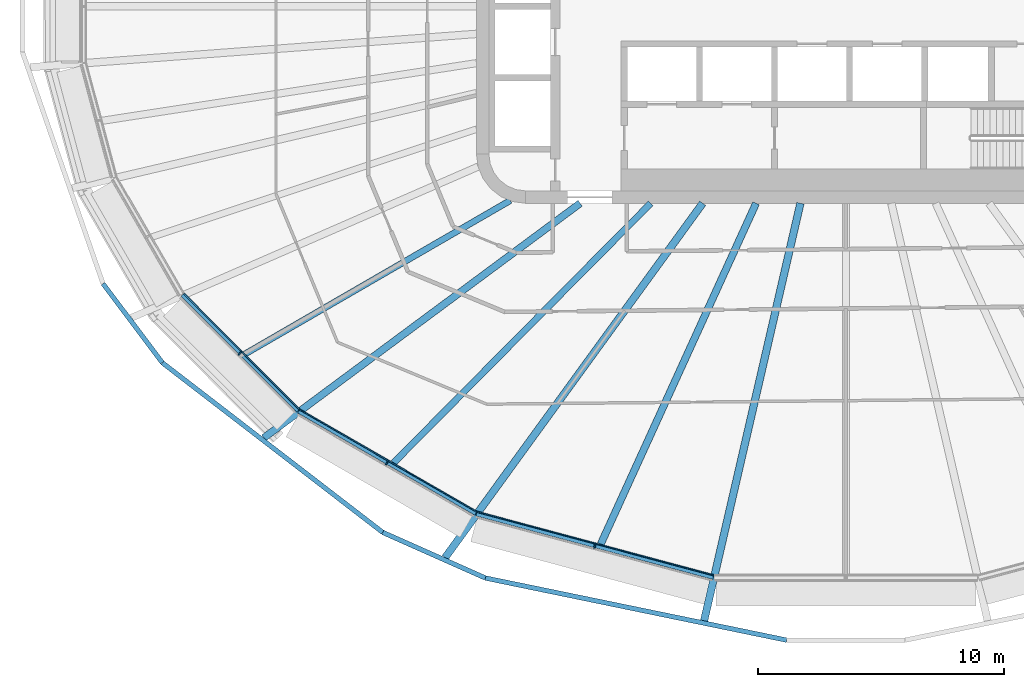
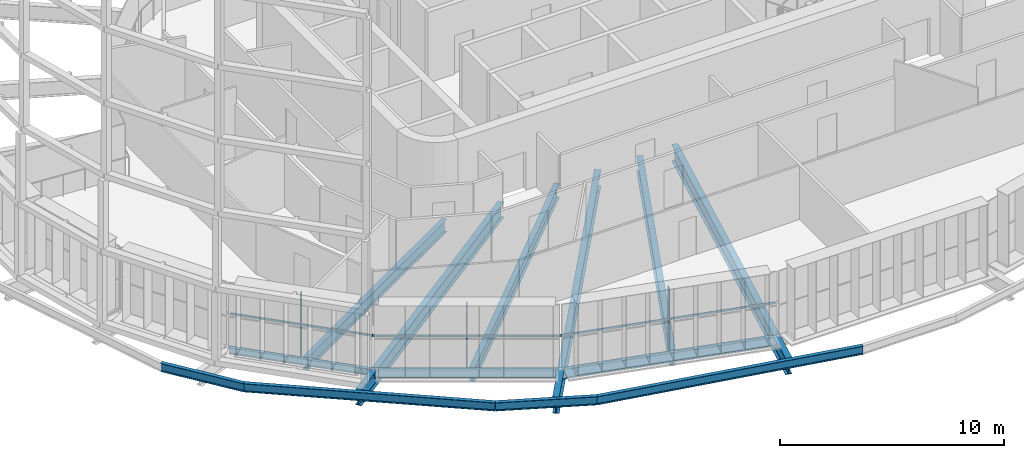
# One storey, part 1 of 22: 13 beams, 6 members, 3 elements without a shape of their own.
"""IFC4 building model written with IfcOpenShell, lengths in metres."""

from ifc_helpers import new_model, si_unit, direction, frame, origin, origin_2d, place, context, subcontext, project, spatial, rectangle, i_section, extrude, material, layer, layer_set, material_profile, profile_set, type_object, element, aggregate, save


model = new_model("IFC4")

# Units and contexts
model_context = context("Model", 3, precision=1e-05, world=origin(), true_north=direction((0.0, 1.0)))
body_context = subcontext(model_context, "Body", "Model", "MODEL_VIEW")
ifc_project = project(units=[si_unit("LENGTHUNIT", "METRE"), si_unit("AREAUNIT", "SQUARE_METRE"), si_unit("VOLUMEUNIT", "CUBIC_METRE"), si_unit("PLANEANGLEUNIT", "RADIAN"), si_unit("MASSUNIT", "GRAM", prefix="KILO")], contexts=[model_context])

# Site, building, storey
site_placement = place(None, origin())
site = spatial("IfcSite", under=ifc_project, at=site_placement, CompositionType="ELEMENT")
building_placement = place(site_placement, origin())
building = spatial("IfcBuilding", under=site, at=building_placement, Name="Sahrelin Media Tower", CompositionType="ELEMENT")
storey_placement = place(building_placement, frame((0.0, 0.0, 177.60009765625)))
storey = spatial("IfcBuildingStorey", under=building, at=storey_placement, Name="L37", CompositionType="ELEMENT", Elevation=177.60009765625)

# Beams
ifc_material_1 = material(Name="Steel S355", Category="steel")
ifc_material_profile_1 = material_profile(ifc_material_1, i_section(OverallWidth=0.17138671875, OverallDepth=0.35498046875, WebThickness=0.00732421875, FlangeThickness=0.011474609375, FilletRadius=0.01025390625, at=origin_2d()), Name="UB 356x171x51")
ifc_profile_set_1 = profile_set([ifc_material_profile_1], Name="Steel S355")
beam_type_1 = type_object("IfcBeamType", Name="Edge beam EB3", PredefinedType="BEAM", material=ifc_profile_set_1)
beam_1_placement = place(storey_placement, frame((-22.232666015625, -16.41552734375, -0.32763671875), z_axis=(-0.707088411198, 0.707125150698, 0.0), x_axis=(-0.707125150698, -0.707088411198, 0.0)))
element("IfcBeam", 1, at=beam_1_placement, inside=storey, type_object=beam_type_1, Name="Edge beam L37-10", PredefinedType="BEAM", context=body_context, shape_type="SweptSolid", body=[
    extrude(i_section(OverallWidth=0.17138671875, OverallDepth=0.35498046875, WebThickness=0.00732421875, FlangeThickness=0.011474609375, FilletRadius=0.01025390625, at=origin_2d()), origin(), (0.0, 0.0, 1.0), 6.645263671875),
])
ifc_material_profile_2 = material_profile(ifc_material_1, i_section(OverallWidth=0.1904296875, OverallDepth=0.45703125, WebThickness=0.009033203125, FlangeThickness=0.014404296875, FilletRadius=0.01025390625, at=origin_2d()), Name="UB 457x191x74")
ifc_profile_set_2 = profile_set([ifc_material_profile_2], Name="Steel S355")
beam_type_2 = type_object("IfcBeamType", Name="Edge beam EB5", PredefinedType="BEAM", material=ifc_profile_set_2)
beam_2_placement = place(storey_placement, frame((-15.022705078125, -20.58251953125, -0.378662109375), z_axis=(-0.866025877972, 0.499999178681, 0.0), x_axis=(-0.499999178681, -0.866025877972, 0.0)))
element("IfcBeam", 2, at=beam_2_placement, inside=storey, type_object=beam_type_2, Name="Edge beam L37-09", PredefinedType="BEAM", context=body_context, shape_type="SweptSolid", body=[
    extrude(i_section(OverallWidth=0.1904296875, OverallDepth=0.45703125, WebThickness=0.009033203125, FlangeThickness=0.014404296875, FilletRadius=0.01025390625, at=origin_2d()), origin(), (0.0, 0.0, 1.0), 8.298828125),
])
ifc_material_profile_3 = material_profile(ifc_material_1, i_section(OverallWidth=0.208740234375, OverallDepth=0.5283203125, WebThickness=0.009521484375, FlangeThickness=0.01318359375, FilletRadius=0.0126953125, at=origin_2d()), Name="UB 533x210x82")
ifc_profile_set_3 = profile_set([ifc_material_profile_3], Name="Steel S355")
beam_type_3 = type_object("IfcBeamType", Name="Edge beam EB6", PredefinedType="BEAM", material=ifc_profile_set_3)
beam_3_placement = place(storey_placement, frame((-5.376953125, -23.1708984375, -0.414306640625), z_axis=(-0.96592704093, 0.258814511957, 0.0), x_axis=(-0.258814511957, -0.96592704093, 0.0)))
element("IfcBeam", 3, at=beam_3_placement, inside=storey, type_object=beam_type_3, Name="Edge beam L37-08", PredefinedType="BEAM", context=body_context, shape_type="SweptSolid", body=[
    extrude(i_section(OverallWidth=0.208740234375, OverallDepth=0.5283203125, WebThickness=0.009521484375, FlangeThickness=0.01318359375, FilletRadius=0.0126953125, at=origin_2d()), origin(), (0.0, 0.0, 1.0), 9.95849609375),
])

# Curtain wall, member
ifc_material_2 = material(Name="Champagne anodised aluminium 6063-T6", Category="aluminium")
ifc_layer = layer(ifc_material_2, 0.14990234375)
ifc_layer_set = layer_set([ifc_layer], Name="Tower ribbon curtain wall")
curtain_wall_type = type_object("IfcCurtainWallType", Name="Tower ribbon curtain wall", PredefinedType="NOTDEFINED", material=ifc_layer_set)
curtain_wall_1_placement = place(storey_placement, frame((-24.688232421875, -14.172119140625, 0.0), z_axis=(0.0, 0.0, 1.0), x_axis=(1.0, 0.0, 0.0)))
curtain_wall_1 = element("IfcCurtainWall", 4, at=curtain_wall_1_placement, inside=storey, type_object=curtain_wall_type, Name="L37:CW:L37-15", PredefinedType="NOTDEFINED")
ifc_material_profile_4 = material_profile(ifc_material_2, rectangle(XDim=0.06005859375, YDim=0.175048828125, at=origin_2d()), Name="Mullion 60x175")
ifc_profile_set_4 = profile_set([ifc_material_profile_4], Name="Champagne anodised aluminium 6063-T6")
member_type_1 = type_object("IfcMemberType", Name="Mullion 60x175 CW1B", PredefinedType="MULLION", material=ifc_profile_set_4)
member_1_placement = place(storey_placement, frame((-24.612060546875, -14.09619140625, 0.0), z_axis=(0.0, 0.0, 1.0), x_axis=(0.707099376343, -0.707114185953, 0.0)))
member_1 = element("IfcMember", 5, at=member_1_placement, type_object=member_type_1, Name="L37:CWM:L37-15", PredefinedType="MULLION", context=body_context, shape_type="SweptSolid", body=[
    extrude(rectangle(XDim=0.06005859375, YDim=0.175048828125, at=origin_2d()), origin(), (0.0, 0.0, 1.0), 3.448486328125),
])

curtain_wall_2_placement = place(storey_placement, frame((-18.691162109375, -18.6376953125, 0.0), z_axis=(0.0, 0.0, 1.0), x_axis=(1.0, 0.0, 0.0)))
curtain_wall_2 = element("IfcCurtainWall", 6, at=curtain_wall_2_placement, inside=storey, type_object=curtain_wall_type, Name="L37:CW:L37-16", PredefinedType="NOTDEFINED")
member_2_placement = place(storey_placement, frame((-18.637451171875, -18.544677734375, 0.0), z_axis=(0.0, 0.0, 1.0), x_axis=(0.866027149108, -0.499996976998, 0.0)))
member_2 = element("IfcMember", 7, at=member_2_placement, type_object=member_type_1, Name="L37:CWM:L37-16", PredefinedType="MULLION", context=body_context, shape_type="SweptSolid", body=[
    extrude(rectangle(XDim=0.06005859375, YDim=0.175048828125, at=origin_2d()), origin(), (0.0, 0.0, 1.0), 3.448486328125),
])

curtain_wall_3_placement = place(storey_placement, frame((-10.22509765625, -22.027099609375, 0.0), z_axis=(0.0, 0.0, 1.0), x_axis=(1.0, 0.0, 0.0)))
curtain_wall_3 = element("IfcCurtainWall", 8, at=curtain_wall_3_placement, inside=storey, type_object=curtain_wall_type, Name="L37:CW:L37-17", PredefinedType="NOTDEFINED")
member_3_placement = place(storey_placement, frame((-10.197509765625, -21.92333984375, 0.0), z_axis=(0.0, 0.0, 1.0), x_axis=(0.965927633163, -0.258812301662, 0.0)))
member_3 = element("IfcMember", 9, at=member_3_placement, type_object=member_type_1, Name="L37:CWM:L37-17", PredefinedType="MULLION", context=body_context, shape_type="SweptSolid", body=[
    extrude(rectangle(XDim=0.06005859375, YDim=0.175048828125, at=origin_2d()), origin(), (0.0, 0.0, 1.0), 3.448486328125),
])

# Beams
ifc_material_profile_5 = material_profile(ifc_material_1, i_section(OverallWidth=0.291748046875, OverallDepth=0.8349609375, WebThickness=0.013916015625, FlangeThickness=0.018798828125, FilletRadius=0.017822265625, at=origin_2d()), Name="UB 838x292x176")
ifc_profile_set_5 = profile_set([ifc_material_profile_5], Name="Steel S355")
beam_type_4 = type_object("IfcBeamType", Name="Radial primary beam PB10", PredefinedType="BEAM", material=ifc_profile_set_5)
beam_4_placement = place(storey_placement, frame((-10.789306640625, -8.0, -0.567626953125), z_axis=(-0.803267440972, -0.595618517403, 0.0), x_axis=(0.595618517403, -0.803267440972, 0.0)))
element("IfcBeam", 10, at=beam_4_placement, inside=storey, type_object=beam_type_4, Name="Radial beam L37-16", PredefinedType="BEAM", context=body_context, shape_type="SweptSolid", body=[
    extrude(i_section(OverallWidth=0.291748046875, OverallDepth=0.8349609375, WebThickness=0.013916015625, FlangeThickness=0.018798828125, FilletRadius=0.017822265625, at=origin_2d()), origin(), (0.0, 0.0, 1.0), 15.9912109375),
])
ifc_material_profile_6 = material_profile(ifc_material_1, i_section(OverallWidth=0.30322265625, OverallDepth=0.903076171875, WebThickness=0.01513671875, FlangeThickness=0.020263671875, FilletRadius=0.01904296875, at=origin_2d()), Name="UB 914x305x201")
ifc_profile_set_6 = profile_set([ifc_material_profile_6], Name="Steel S355")
beam_type_5 = type_object("IfcBeamType", Name="Radial primary beam PB11", PredefinedType="BEAM", material=ifc_profile_set_6)
beam_5_placement = place(storey_placement, frame((-5.81494140625, -8.0, -0.6015625), z_axis=(-0.587965973152, -0.80888566214, 0.0), x_axis=(0.80888566214, -0.587965973152, 0.0)))
element("IfcBeam", 11, at=beam_5_placement, inside=storey, type_object=beam_type_5, Name="Radial beam L37-17", PredefinedType="BEAM", context=body_context, shape_type="SweptSolid", body=[
    extrude(i_section(OverallWidth=0.30322265625, OverallDepth=0.903076171875, WebThickness=0.01513671875, FlangeThickness=0.020263671875, FilletRadius=0.01904296875, at=origin_2d()), origin(), (0.0, 0.0, 1.0), 17.783447265625),
])
beam_6_placement = place(storey_placement, frame((-1.84619140625, -8.0, -0.6015625), z_axis=(-0.224860531753, -0.974390959143, 0.0), x_axis=(0.974390959143, -0.224860531753, 0.0)))
element("IfcBeam", 12, at=beam_6_placement, inside=storey, type_object=beam_type_5, Name="Radial beam L37-18", PredefinedType="BEAM", context=body_context, shape_type="SweptSolid", body=[
    extrude(i_section(OverallWidth=0.30322265625, OverallDepth=0.903076171875, WebThickness=0.01513671875, FlangeThickness=0.020263671875, FilletRadius=0.01904296875, at=origin_2d()), origin(), (0.0, 0.0, 1.0), 17.394775390625),
])
ifc_material_profile_7 = material_profile(ifc_material_1, i_section(OverallWidth=0.291748046875, OverallDepth=0.8349609375, WebThickness=0.013916015625, FlangeThickness=0.018798828125, FilletRadius=0.017822265625, at=origin_2d()), Name="UB 838x292x176")
ifc_profile_set_7 = profile_set([ifc_material_profile_7], Name="Steel S355")
beam_type_6 = type_object("IfcBeamType", Name="Radial secondary beam SB10", PredefinedType="BEAM", material=ifc_profile_set_7)
beam_7_placement = place(storey_placement, frame((-3.646484375, -8.0, -0.567626953125), z_axis=(-0.414742623405, -0.909938765155, 0.0), x_axis=(0.909938765155, -0.414742623405, 0.0)))
element("IfcBeam", 13, at=beam_7_placement, inside=storey, type_object=beam_type_6, Name="Secondary beam L37-13", PredefinedType="BEAM", context=body_context, shape_type="SweptSolid", body=[
    extrude(i_section(OverallWidth=0.291748046875, OverallDepth=0.8349609375, WebThickness=0.013916015625, FlangeThickness=0.018798828125, FilletRadius=0.017822265625, at=origin_2d()), origin(), (0.0, 0.0, 1.0), 15.2060546875),
])
ifc_material_profile_8 = material_profile(ifc_material_1, i_section(OverallWidth=0.2529296875, OverallDepth=0.677978515625, WebThickness=0.01171875, FlangeThickness=0.01611328125, FilletRadius=0.01513671875, at=origin_2d()), Name="UB 686x254x125")
ifc_profile_set_8 = profile_set([ifc_material_profile_8], Name="Steel S355")
beam_type_7 = type_object("IfcBeamType", Name="Radial secondary beam SB8", PredefinedType="BEAM", material=ifc_profile_set_8)
beam_8_placement = place(storey_placement, frame((-13.628173828125, -7.885986328125, -0.489013671875), z_axis=(-0.865530979907, -0.500855391128, 0.0), x_axis=(0.500855391128, -0.865530979907, 0.0)))
element("IfcBeam", 14, at=beam_8_placement, inside=storey, type_object=beam_type_7, Name="Secondary beam L37-11", PredefinedType="BEAM", context=body_context, shape_type="SweptSolid", body=[
    extrude(i_section(OverallWidth=0.2529296875, OverallDepth=0.677978515625, WebThickness=0.01171875, FlangeThickness=0.01611328125, FilletRadius=0.01513671875, at=origin_2d()), origin(), (0.0, 0.0, 1.0), 12.450927734375),
])
ifc_material_profile_9 = material_profile(ifc_material_1, i_section(OverallWidth=0.26513671875, OverallDepth=0.75390625, WebThickness=0.0126953125, FlangeThickness=0.017578125, FilletRadius=0.0166015625, at=origin_2d()), Name="UB 762x267x147")
ifc_profile_set_9 = profile_set([ifc_material_profile_9], Name="Steel S355")
beam_type_8 = type_object("IfcBeamType", Name="Radial secondary beam SB9", PredefinedType="BEAM", material=ifc_profile_set_9)
beam_9_placement = place(storey_placement, frame((-7.92431640625, -8.0, -0.527099609375), z_axis=(-0.703742333182, -0.710455296615, 0.0), x_axis=(0.710455296615, -0.703742333182, 0.0)))
element("IfcBeam", 15, at=beam_9_placement, inside=storey, type_object=beam_type_8, Name="Secondary beam L37-12", PredefinedType="BEAM", context=body_context, shape_type="SweptSolid", body=[
    extrude(i_section(OverallWidth=0.26513671875, OverallDepth=0.75390625, WebThickness=0.0126953125, FlangeThickness=0.017578125, FilletRadius=0.0166015625, at=origin_2d()), origin(), (0.0, 0.0, 1.0), 14.83837890625),
])
ifc_material_profile_10 = material_profile(ifc_material_1, i_section(OverallWidth=0.1904296875, OverallDepth=0.45703125, WebThickness=0.009033203125, FlangeThickness=0.014404296875, FilletRadius=0.01025390625, at=origin_2d()), Name="UB 457x191x74")
ifc_profile_set_10 = profile_set([ifc_material_profile_10], Name="Steel S355")
beam_type_9 = type_object("IfcBeamType", Name="Tie chord TC5", PredefinedType="BEAM", material=ifc_profile_set_10)
beam_10_placement = place(storey_placement, frame((-30.161376953125, -11.26611328125, -0.378662109375), z_axis=(0.600068228926, -0.799948823759, 0.0), x_axis=(0.799948823759, 0.600068228926, 0.0)))
element("IfcBeam", 16, at=beam_10_placement, inside=storey, type_object=beam_type_9, Name="Tie chord L37-14", PredefinedType="BEAM", context=body_context, shape_type="SweptSolid", body=[
    extrude(i_section(OverallWidth=0.1904296875, OverallDepth=0.45703125, WebThickness=0.009033203125, FlangeThickness=0.014404296875, FilletRadius=0.01025390625, at=origin_2d()), origin(), (0.0, 0.0, 1.0), 4.007568359375),
])
beam_11_placement = place(storey_placement, frame((-27.756591796875, -14.471923828125, -0.378662109375), z_axis=(0.792444846493, -0.609943575477, 0.0), x_axis=(0.609943575477, 0.792444846493, 0.0)))
element("IfcBeam", 17, at=beam_11_placement, inside=storey, type_object=beam_type_9, Name="Tie chord L37-15", PredefinedType="BEAM", context=body_context, shape_type="SweptSolid", body=[
    extrude(i_section(OverallWidth=0.1904296875, OverallDepth=0.45703125, WebThickness=0.009033203125, FlangeThickness=0.014404296875, FilletRadius=0.01025390625, at=origin_2d()), origin(), (0.0, 0.0, 1.0), 11.300048828125),
])
beam_12_placement = place(storey_placement, frame((-18.802001953125, -21.3642578125, -0.378662109375), z_axis=(0.913835844961, -0.40608379488, 0.0), x_axis=(0.40608379488, 0.913835844961, 0.0)))
element("IfcBeam", 18, at=beam_12_placement, inside=storey, type_object=beam_type_9, Name="Tie chord L37-16", PredefinedType="BEAM", context=body_context, shape_type="SweptSolid", body=[
    extrude(i_section(OverallWidth=0.1904296875, OverallDepth=0.45703125, WebThickness=0.009033203125, FlangeThickness=0.014404296875, FilletRadius=0.01025390625, at=origin_2d()), origin(), (0.0, 0.0, 1.0), 4.557861328125),
])
beam_13_placement = place(storey_placement, frame((-14.636962890625, -23.215087890625, -0.378662109375), z_axis=(0.979388741221, -0.201984389419, 0.0), x_axis=(0.201984389419, 0.979388741221, 0.0)))
element("IfcBeam", 19, at=beam_13_placement, inside=storey, type_object=beam_type_9, Name="Tie chord L37-17", PredefinedType="BEAM", context=body_context, shape_type="SweptSolid", body=[
    extrude(i_section(OverallWidth=0.1904296875, OverallDepth=0.45703125, WebThickness=0.009033203125, FlangeThickness=0.014404296875, FilletRadius=0.01025390625, at=origin_2d()), origin(), (0.0, 0.0, 1.0), 12.489501953125),
])

# Member
ifc_material_profile_11 = material_profile(ifc_material_2, rectangle(XDim=0.050048828125, YDim=0.110107421875, at=origin_2d()), Name="Transom 50x110")
ifc_profile_set_11 = profile_set([ifc_material_profile_11], Name="Champagne anodised aluminium 6063-T6")
member_type_2 = type_object("IfcMemberType", Name="Transom 50x110 CW1B", PredefinedType="USERDEFINED", material=ifc_profile_set_11)
member_4_placement = place(storey_placement, frame((-26.870849609375, -11.67822265625, 1.599853515625), z_axis=(0.707088323929, -0.707125237963, 0.0), x_axis=(0.707125237963, 0.707088323929, 0.0)))
member_4 = element("IfcMember", 20, at=member_4_placement, type_object=member_type_2, Name="L37:CWT:L37-15", ObjectType="TRANSOM", PredefinedType="USERDEFINED", context=body_context, shape_type="SweptSolid", body=[
    extrude(rectangle(XDim=0.050048828125, YDim=0.110107421875, at=origin_2d()), origin(), (0.0, 0.0, 1.0), 6.61376953125),
])

aggregate(curtain_wall_1, [member_1, member_4])

member_5_placement = place(storey_placement, frame((-22.1611328125, -16.38037109375, 1.599853515625), z_axis=(0.866024781634, -0.500001077595, 0.0), x_axis=(0.500001077595, 0.866024781634, 0.0)))
member_5 = element("IfcMember", 21, at=member_5_placement, type_object=member_type_2, Name="L37:CWT:L37-16", ObjectType="TRANSOM", PredefinedType="USERDEFINED", context=body_context, shape_type="SweptSolid", body=[
    extrude(rectangle(XDim=0.050048828125, YDim=0.110107421875, at=origin_2d()), origin(), (0.0, 0.0, 1.0), 8.267578125),
])

aggregate(curtain_wall_2, [member_2, member_5])

member_6_placement = place(storey_placement, frame((-14.962646484375, -20.530029296875, 1.599853515625), z_axis=(0.965924009595, -0.258825825003, 0.0), x_axis=(0.258825825003, 0.965924009595, 0.0)))
member_6 = element("IfcMember", 22, at=member_6_placement, type_object=member_type_2, Name="L37:CWT:L37-17", ObjectType="TRANSOM", PredefinedType="USERDEFINED", context=body_context, shape_type="SweptSolid", body=[
    extrude(rectangle(XDim=0.050048828125, YDim=0.110107421875, at=origin_2d()), origin(), (0.0, 0.0, 1.0), 9.927001953125),
])

aggregate(curtain_wall_3, [member_3, member_6])

save(model, "model.ifc")
